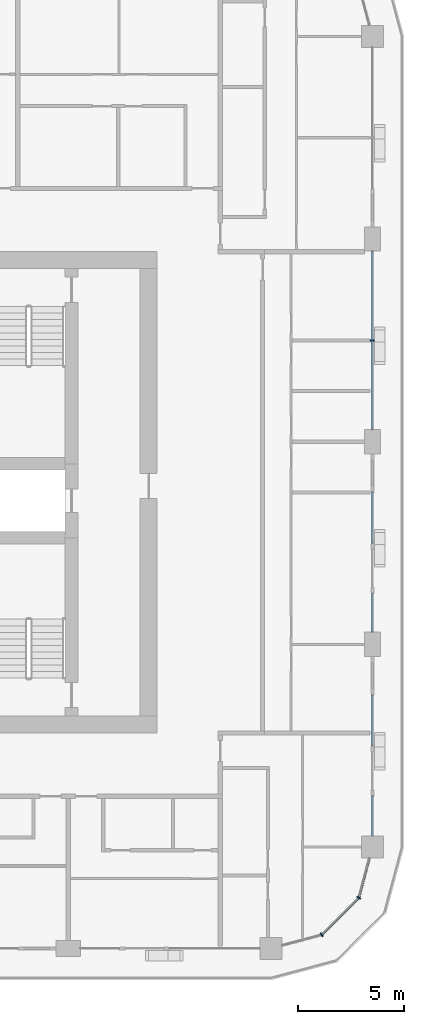
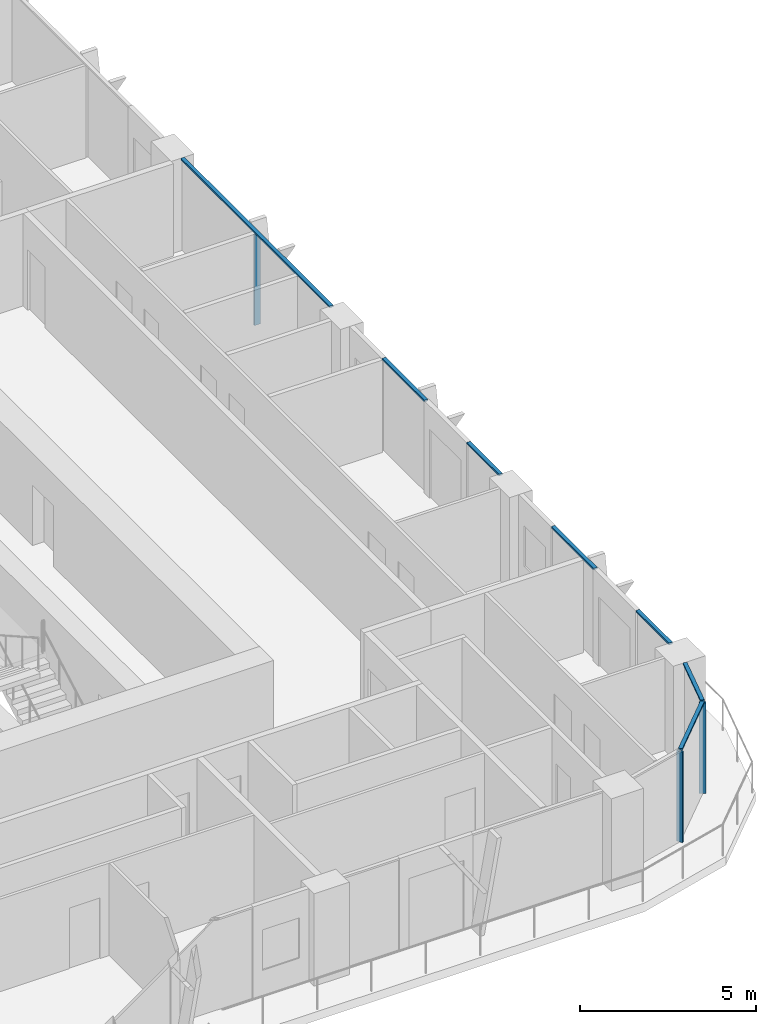
# One storey, part 4 of 22: 10 members, 4 elements without a shape of their own.
"""IFC4 building model written with IfcOpenShell, lengths in metres."""

from ifc_helpers import new_model, si_unit, direction, frame, origin, origin_2d, place, context, subcontext, project, spatial, rectangle, extrude, material, layer, layer_set, material_profile, profile_set, type_object, element, aggregate, save


model = new_model("IFC4")

# Units and contexts
model_context = context("Model", 3, precision=1e-05, world=origin(), true_north=direction((0.0, 1.0)))
body_context = subcontext(model_context, "Body", "Model", "MODEL_VIEW")
ifc_project = project(units=[si_unit("LENGTHUNIT", "METRE"), si_unit("AREAUNIT", "SQUARE_METRE"), si_unit("VOLUMEUNIT", "CUBIC_METRE"), si_unit("PLANEANGLEUNIT", "RADIAN"), si_unit("MASSUNIT", "GRAM", prefix="KILO")], contexts=[model_context])

# Site, building, storey
site_placement = place(None, origin())
site = spatial("IfcSite", under=ifc_project, at=site_placement, CompositionType="ELEMENT")
building_placement = place(site_placement, origin())
building = spatial("IfcBuilding", under=site, at=building_placement, Name="Madar Terraces", CompositionType="ELEMENT")
storey_placement = place(building_placement, frame((0.0, 0.0, 119.10009765625)))
storey = spatial("IfcBuildingStorey", under=building, at=storey_placement, Name="L30", CompositionType="ELEMENT", Elevation=119.10009765625)

# Curtain wall, member
ifc_material_1 = material(Name="Glass, ceramic frit dark grey, with black aluminium frame", Category="aluminium")
ifc_layer = layer(ifc_material_1, 0.199951171875)
ifc_layer_set = layer_set([ifc_layer], Name="Facade curtain wall, fritted glass")
curtain_wall_type = type_object("IfcCurtainWallType", Name="Facade curtain wall, fritted glass", PredefinedType="NOTDEFINED", material=ifc_layer_set)
curtain_wall_1_placement = place(storey_placement, origin())
curtain_wall_1 = element("IfcCurtainWall", 1, at=curtain_wall_1_placement, inside=storey, type_object=curtain_wall_type, Name="Outer skin curtain wall east bay 3", PredefinedType="NOTDEFINED")
ifc_material_2 = material(Name="Aluminium, black anodised", Category="aluminium")
ifc_material_profile_1 = material_profile(ifc_material_2, rectangle(XDim=0.199951171875, YDim=0.06005859375, at=origin_2d()), Name="Facade mullion 60x200")
ifc_profile_set_1 = profile_set([ifc_material_profile_1], Name="Aluminium, black anodised")
member_type_1 = type_object("IfcMemberType", Name="Facade mullion 60x200", PredefinedType="MULLION", material=ifc_profile_set_1)
member_1_placement = place(storey_placement, frame((57.60009765625, 33.60009765625, 0.0), z_axis=(0.0, 0.0, 1.0), x_axis=(-1.0, 0.0, 0.0)))
member_1 = element("IfcMember", 2, at=member_1_placement, type_object=member_type_1, Name="Mullion 1", PredefinedType="MULLION", context=body_context, shape_type="SweptSolid", body=[
    extrude(rectangle(XDim=0.199951171875, YDim=0.06005859375, at=origin_2d()), origin(), (0.0, 0.0, 1.0), 3.139892578125),
])

# Curtain wall, members
curtain_wall_2_placement = place(storey_placement, origin())
curtain_wall_2 = element("IfcCurtainWall", 3, at=curtain_wall_2_placement, inside=storey, type_object=curtain_wall_type, Name="Outer skin curtain wall south-east corner", PredefinedType="NOTDEFINED")
member_2_placement = place(storey_placement, frame((55.199951171875, 5.443115234375, 0.0), z_axis=(0.0, 0.0, 1.0), x_axis=(-0.499999989586, 0.866025409797, 0.0)))
member_2 = element("IfcMember", 4, at=member_2_placement, type_object=member_type_1, Name="Mullion 1", PredefinedType="MULLION", context=body_context, shape_type="SweptSolid", body=[
    extrude(rectangle(XDim=0.199951171875, YDim=0.06005859375, at=origin_2d()), origin(), (0.0, 0.0, 1.0), 3.139892578125),
])
member_3_placement = place(storey_placement, frame((56.95703125, 7.199951171875, 0.0), z_axis=(0.0, 0.0, 1.0), x_axis=(-0.866025409797, 0.499999989586, 0.0)))
member_3 = element("IfcMember", 5, at=member_3_placement, type_object=member_type_1, Name="Mullion 2", PredefinedType="MULLION", context=body_context, shape_type="SweptSolid", body=[
    extrude(rectangle(XDim=0.199951171875, YDim=0.06005859375, at=origin_2d()), origin(), (0.0, 0.0, 1.0), 3.139892578125),
])

curtain_wall_3_placement = place(storey_placement, origin())
curtain_wall_3 = element("IfcCurtainWall", 6, at=curtain_wall_3_placement, inside=storey, type_object=curtain_wall_type, Name="Outer skin curtain wall east bay 1", PredefinedType="NOTDEFINED")
ifc_material_3 = material(Name="Aluminium, black anodised", Category="aluminium")
ifc_material_profile_2 = material_profile(ifc_material_3, rectangle(XDim=0.1201171875, YDim=0.06005859375, at=origin_2d()), Name="Facade transom 60x120")
ifc_profile_set_2 = profile_set([ifc_material_profile_2], Name="Aluminium, black anodised")
member_type_2 = type_object("IfcMemberType", Name="Facade transom 60x120", PredefinedType="USERDEFINED", material=ifc_profile_set_2)
member_4_placement = place(storey_placement, frame((57.60009765625, 10.125, 3.169921875), z_axis=(0.0, 1.0, 0.0), x_axis=(-1.0, 0.0, 0.0)))
member_4 = element("IfcMember", 7, at=member_4_placement, type_object=member_type_2, Name="Transom 1", ObjectType="TRANSOM", PredefinedType="USERDEFINED", context=body_context, shape_type="SweptSolid", body=[
    extrude(rectangle(XDim=0.1201171875, YDim=0.06005859375, at=origin_2d()), origin(), (0.0, 0.0, 1.0), 1.875),
])
member_5_placement = place(storey_placement, frame((57.60009765625, 14.39990234375, 3.169921875), z_axis=(0.0, 1.0, 0.0), x_axis=(-1.0, 0.0, 0.0)))
member_5 = element("IfcMember", 8, at=member_5_placement, type_object=member_type_2, Name="Transom 2", ObjectType="TRANSOM", PredefinedType="USERDEFINED", context=body_context, shape_type="SweptSolid", body=[
    extrude(rectangle(XDim=0.1201171875, YDim=0.06005859375, at=origin_2d()), origin(), (0.0, 0.0, 1.0), 2.400146484375),
])
aggregate(curtain_wall_3, [member_4, member_5])

curtain_wall_4_placement = place(storey_placement, origin())
curtain_wall_4 = element("IfcCurtainWall", 9, at=curtain_wall_4_placement, inside=storey, type_object=curtain_wall_type, Name="Outer skin curtain wall east bay 2", PredefinedType="NOTDEFINED")
member_6_placement = place(storey_placement, frame((57.60009765625, 19.77490234375, 3.169921875), z_axis=(0.0, 1.0, 0.0), x_axis=(-1.0, 0.0, 0.0)))
member_6 = element("IfcMember", 10, at=member_6_placement, type_object=member_type_2, Name="Transom 1", ObjectType="TRANSOM", PredefinedType="USERDEFINED", context=body_context, shape_type="SweptSolid", body=[
    extrude(rectangle(XDim=0.1201171875, YDim=0.06005859375, at=origin_2d()), origin(), (0.0, 0.0, 1.0), 1.8251953125),
])
member_7_placement = place(storey_placement, frame((57.60009765625, 24.0, 3.169921875), z_axis=(0.0, 1.0, 0.0), x_axis=(-1.0, 0.0, 0.0)))
member_7 = element("IfcMember", 11, at=member_7_placement, type_object=member_type_2, Name="Transom 2", ObjectType="TRANSOM", PredefinedType="USERDEFINED", context=body_context, shape_type="SweptSolid", body=[
    extrude(rectangle(XDim=0.1201171875, YDim=0.06005859375, at=origin_2d()), origin(), (0.0, 0.0, 1.0), 2.39990234375),
])
aggregate(curtain_wall_4, [member_6, member_7])

# Member
member_8_placement = place(storey_placement, frame((57.60009765625, 29.375, 3.169921875), z_axis=(0.0, 1.0, 0.0), x_axis=(-1.0, 0.0, 0.0)))
member_8 = element("IfcMember", 12, at=member_8_placement, type_object=member_type_2, Name="Transom 1", ObjectType="TRANSOM", PredefinedType="USERDEFINED", context=body_context, shape_type="SweptSolid", body=[
    extrude(rectangle(XDim=0.1201171875, YDim=0.06005859375, at=origin_2d()), origin(), (0.0, 0.0, 1.0), 8.449951171875),
])

aggregate(curtain_wall_1, [member_1, member_8])

member_9_placement = place(storey_placement, frame((55.22119140625, 5.46435546875, 3.169921875), z_axis=(0.707157125196, 0.707056433593, 0.0), x_axis=(-0.707056433593, 0.707157125196, 0.0)))
member_9 = element("IfcMember", 13, at=member_9_placement, type_object=member_type_2, Name="Transom 2", ObjectType="TRANSOM", PredefinedType="USERDEFINED", context=body_context, shape_type="SweptSolid", body=[
    extrude(rectangle(XDim=0.1201171875, YDim=0.06005859375, at=origin_2d()), origin(), (0.0, 0.0, 1.0), 2.424560546875),
])

member_10_placement = place(storey_placement, frame((56.964599609375, 7.22900390625, 3.169921875), z_axis=(0.258823354654, 0.965924671538, 0.0), x_axis=(-0.965924671538, 0.258823354654, 0.0)))
member_10 = element("IfcMember", 14, at=member_10_placement, type_object=member_type_2, Name="Transom 3", ObjectType="TRANSOM", PredefinedType="USERDEFINED", context=body_context, shape_type="SweptSolid", body=[
    extrude(rectangle(XDim=0.1201171875, YDim=0.06005859375, at=origin_2d()), origin(), (0.0, 0.0, 1.0), 1.9111328125),
])

aggregate(curtain_wall_2, [member_2, member_3, member_9, member_10])

save(model, "model.ifc")
